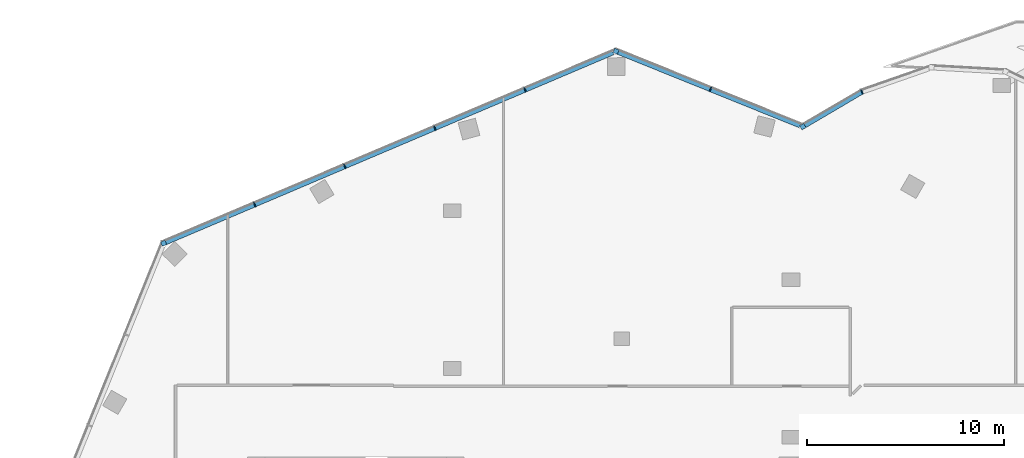
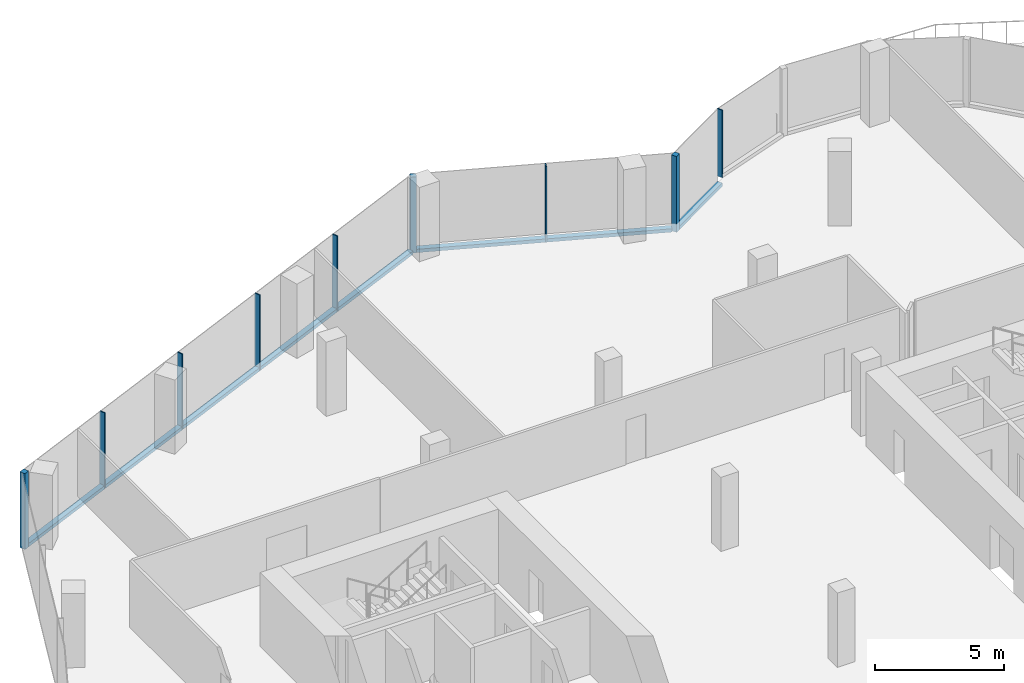
# One storey, part 8 of 17: 12 members, 4 elements without a shape of their own.
"""IFC4 building model written with IfcOpenShell, lengths in metres."""

from ifc_helpers import new_model, si_unit, direction, frame, origin, origin_2d, place, context, subcontext, project, spatial, rectangle, extrude, material, material_profile, profile_set, type_object, element, aggregate, save


model = new_model("IFC4")

# Units and contexts
model_context = context("Model", 3, precision=1e-05, world=origin(), true_north=direction((0.0, 1.0)))
body_context = subcontext(model_context, "Body", "Model", "MODEL_VIEW")
ifc_project = project(units=[si_unit("LENGTHUNIT", "METRE"), si_unit("AREAUNIT", "SQUARE_METRE"), si_unit("VOLUMEUNIT", "CUBIC_METRE"), si_unit("PLANEANGLEUNIT", "RADIAN"), si_unit("MASSUNIT", "GRAM", prefix="KILO")], contexts=[model_context])

# Site, building, storey
site_placement = place(None, origin())
site = spatial("IfcSite", under=ifc_project, at=site_placement, CompositionType="ELEMENT")
building_placement = place(site_placement, origin())
building = spatial("IfcBuilding", under=site, at=building_placement, Name="Orlundy Tower", CompositionType="ELEMENT")
storey_placement = place(building_placement, frame((0.0, 0.0, 289.39990234375)))
storey = spatial("IfcBuildingStorey", under=building, at=storey_placement, Name="L77", CompositionType="ELEMENT", Elevation=289.39990234375)

# Curtain wall, member
ifc_material_1 = material(Name="Aluminium bronze anodised", Category="aluminium")
curtain_wall_type = type_object("IfcCurtainWallType", Name="CW6 wall", PredefinedType="NOTDEFINED", material=ifc_material_1)
curtain_wall_1_placement = place(storey_placement, origin())
curtain_wall_1 = element("IfcCurtainWall", 1, at=curtain_wall_1_placement, inside=storey, type_object=curtain_wall_type, Name="CW6 run 04", PredefinedType="NOTDEFINED")
ifc_material_2 = material(Name="Aluminium bronze anodised", Category="aluminium")
ifc_material_profile_1 = material_profile(ifc_material_2, rectangle(XDim=0.239990234375, YDim=0.239990234375, at=origin_2d()), Name="CW6 corner post 240x240")
ifc_profile_set_1 = profile_set([ifc_material_profile_1], Name="Aluminium bronze anodised")
member_type_1 = type_object("IfcMemberType", Name="CW6 corner post 240x240", PredefinedType="MULLION", material=ifc_profile_set_1)
member_1_placement = place(storey_placement, frame((-23.253662109375, 22.85107421875, -0.39990234375), z_axis=(0.0, 0.0, 1.0), x_axis=(-0.390726531244, 0.920506804854, 0.0)))
member_1 = element("IfcMember", 2, at=member_1_placement, type_object=member_type_1, Name="CW6 mullion 15", PredefinedType="MULLION", context=body_context, shape_type="SweptSolid", body=[
    extrude(rectangle(XDim=0.239990234375, YDim=0.239990234375, at=origin_2d()), origin(), (0.0, 0.0, 1.0), 3.580078125),
])

curtain_wall_2_placement = place(storey_placement, origin())
curtain_wall_2 = element("IfcCurtainWall", 3, at=curtain_wall_2_placement, inside=storey, type_object=curtain_wall_type, Name="CW6 run 05", PredefinedType="NOTDEFINED")
member_2_placement = place(storey_placement, frame((-0.2841796875, 32.600830078125, -0.39990234375), z_axis=(0.0, 0.0, 1.0), x_axis=(0.374639101319, 0.927170719858, 0.0)))
member_2 = element("IfcMember", 4, at=member_2_placement, type_object=member_type_1, Name="CW6 mullion 20", PredefinedType="MULLION", context=body_context, shape_type="SweptSolid", body=[
    extrude(rectangle(XDim=0.239990234375, YDim=0.239990234375, at=origin_2d()), origin(), (0.0, 0.0, 1.0), 3.580078125),
])

curtain_wall_3_placement = place(storey_placement, origin())
curtain_wall_3 = element("IfcCurtainWall", 5, at=curtain_wall_3_placement, inside=storey, type_object=curtain_wall_type, Name="CW6 run 06", PredefinedType="NOTDEFINED")
member_3_placement = place(storey_placement, frame((9.197998046875, 28.76953125, -0.39990234375), z_axis=(0.0, 0.0, 1.0), x_axis=(-0.507527218917, 0.861635724688, 0.0)))
member_3 = element("IfcMember", 6, at=member_3_placement, type_object=member_type_1, Name="CW6 mullion 22", PredefinedType="MULLION", context=body_context, shape_type="SweptSolid", body=[
    extrude(rectangle(XDim=0.239990234375, YDim=0.239990234375, at=origin_2d()), origin(), (0.0, 0.0, 1.0), 3.580078125),
])

# Member
ifc_material_3 = material(Name="Aluminium bronze anodised", Category="aluminium")
ifc_material_profile_2 = material_profile(ifc_material_3, rectangle(XDim=0.239990234375, YDim=0.050048828125, at=origin_2d()), Name="CW6 mullion 50x240")
ifc_profile_set_2 = profile_set([ifc_material_profile_2], Name="Aluminium bronze anodised")
member_type_2 = type_object("IfcMemberType", Name="CW6 mullion 50x240", PredefinedType="MULLION", material=ifc_profile_set_2)
member_4_placement = place(storey_placement, frame((-18.63232421875, 24.812744140625, -0.39990234375), z_axis=(0.0, 0.0, 1.0), x_axis=(-0.390726531244, 0.920506804854, 0.0)))
member_4 = element("IfcMember", 7, at=member_4_placement, type_object=member_type_2, Name="CW6 mullion 16", PredefinedType="MULLION", context=body_context, shape_type="SweptSolid", body=[
    extrude(rectangle(XDim=0.239990234375, YDim=0.050048828125, at=origin_2d()), origin(), (0.0, 0.0, 1.0), 3.580078125),
])

member_5_placement = place(storey_placement, frame((-14.056640625, 26.7548828125, -0.39990234375), z_axis=(0.0, 0.0, 1.0), x_axis=(-0.390726531244, 0.920506804854, 0.0)))
member_5 = element("IfcMember", 8, at=member_5_placement, type_object=member_type_2, Name="CW6 mullion 17", PredefinedType="MULLION", context=body_context, shape_type="SweptSolid", body=[
    extrude(rectangle(XDim=0.239990234375, YDim=0.050048828125, at=origin_2d()), origin(), (0.0, 0.0, 1.0), 3.580078125),
])

member_6_placement = place(storey_placement, frame((-9.481201171875, 28.697021484375, -0.39990234375), z_axis=(0.0, 0.0, 1.0), x_axis=(-0.390726531244, 0.920506804854, 0.0)))
member_6 = element("IfcMember", 9, at=member_6_placement, type_object=member_type_2, Name="CW6 mullion 18", PredefinedType="MULLION", context=body_context, shape_type="SweptSolid", body=[
    extrude(rectangle(XDim=0.239990234375, YDim=0.050048828125, at=origin_2d()), origin(), (0.0, 0.0, 1.0), 3.580078125),
])

member_7_placement = place(storey_placement, frame((-4.905517578125, 30.63916015625, -0.39990234375), z_axis=(0.0, 0.0, 1.0), x_axis=(-0.390726531244, 0.920506804854, 0.0)))
member_7 = element("IfcMember", 10, at=member_7_placement, type_object=member_type_2, Name="CW6 mullion 19", PredefinedType="MULLION", context=body_context, shape_type="SweptSolid", body=[
    extrude(rectangle(XDim=0.239990234375, YDim=0.050048828125, at=origin_2d()), origin(), (0.0, 0.0, 1.0), 3.580078125),
])

member_8_placement = place(storey_placement, frame((4.507568359375, 30.664794921875, -0.39990234375), z_axis=(0.0, 0.0, 1.0), x_axis=(0.374639101319, 0.927170719858, 0.0)))
member_8 = element("IfcMember", 11, at=member_8_placement, type_object=member_type_2, Name="CW6 mullion 21", PredefinedType="MULLION", context=body_context, shape_type="SweptSolid", body=[
    extrude(rectangle(XDim=0.239990234375, YDim=0.050048828125, at=origin_2d()), origin(), (0.0, 0.0, 1.0), 3.580078125),
])

# Curtain wall, member
curtain_wall_4_placement = place(storey_placement, origin())
curtain_wall_4 = element("IfcCurtainWall", 12, at=curtain_wall_4_placement, inside=storey, type_object=curtain_wall_type, Name="CW6 run 07", PredefinedType="NOTDEFINED")
member_9_placement = place(storey_placement, frame((12.201171875, 30.538330078125, 0.0), z_axis=(0.0, 0.0, 1.0), x_axis=(-0.420645052981, 0.907225296937, 0.0)))
member_9 = element("IfcMember", 13, at=member_9_placement, type_object=member_type_2, Name="CW6 mullion 23", PredefinedType="MULLION", context=body_context, shape_type="SweptSolid", body=[
    extrude(rectangle(XDim=0.239990234375, YDim=0.050048828125, at=origin_2d()), origin(), (0.0, 0.0, 1.0), 3.18017578125),
])
aggregate(curtain_wall_4, [member_9])

# Member
ifc_material_4 = material(Name="Aluminium bronze anodised", Category="aluminium")
ifc_material_profile_3 = material_profile(ifc_material_4, rectangle(XDim=0.239990234375, YDim=0.159912109375, at=origin_2d()), Name="CW6 transom 240x160")
ifc_profile_set_3 = profile_set([ifc_material_profile_3], Name="Aluminium bronze anodised")
member_type_3 = type_object("IfcMemberType", Name="CW6 transom 240x160", PredefinedType="USERDEFINED", material=ifc_profile_set_3)
member_10_placement = place(storey_placement, frame((-23.14306640625, 22.89794921875, -0.31982421875), z_axis=(0.920504544268, 0.390731856881, 0.0), x_axis=(-0.390731856881, 0.920504544268, 0.0)))
member_10 = element("IfcMember", 14, at=member_10_placement, type_object=member_type_3, Name="CW6 transom", ObjectType="TRANSOM", PredefinedType="USERDEFINED", context=body_context, shape_type="SweptSolid", body=[
    extrude(rectangle(XDim=0.239990234375, YDim=0.159912109375, at=origin_2d()), origin(), (0.0, 0.0, 1.0), 24.663330078125),
])

aggregate(curtain_wall_1, [member_1, member_4, member_5, member_6, member_7, member_10])

member_11_placement = place(storey_placement, frame((-0.1728515625, 32.555908203125, -0.31982421875), z_axis=(0.927173868199, -0.374631309595, 0.0), x_axis=(0.374631309595, 0.927173868199, 0.0)))
member_11 = element("IfcMember", 15, at=member_11_placement, type_object=member_type_3, Name="CW6 transom", ObjectType="TRANSOM", PredefinedType="USERDEFINED", context=body_context, shape_type="SweptSolid", body=[
    extrude(rectangle(XDim=0.239990234375, YDim=0.159912109375, at=origin_2d()), origin(), (0.0, 0.0, 1.0), 9.955810546875),
])

aggregate(curtain_wall_2, [member_2, member_8, member_11])

member_12_placement = place(storey_placement, frame((9.301513671875, 28.830322265625, -0.31982421875), z_axis=(0.861637205175, 0.507524705466, 0.0), x_axis=(-0.507524705466, 0.861637205175, 0.0)))
member_12 = element("IfcMember", 16, at=member_12_placement, type_object=member_type_3, Name="CW6 transom", ObjectType="TRANSOM", PredefinedType="USERDEFINED", context=body_context, shape_type="SweptSolid", body=[
    extrude(rectangle(XDim=0.239990234375, YDim=0.159912109375, at=origin_2d()), origin(), (0.0, 0.0, 1.0), 3.34033203125),
])

aggregate(curtain_wall_3, [member_3, member_12])

save(model, "model.ifc")
